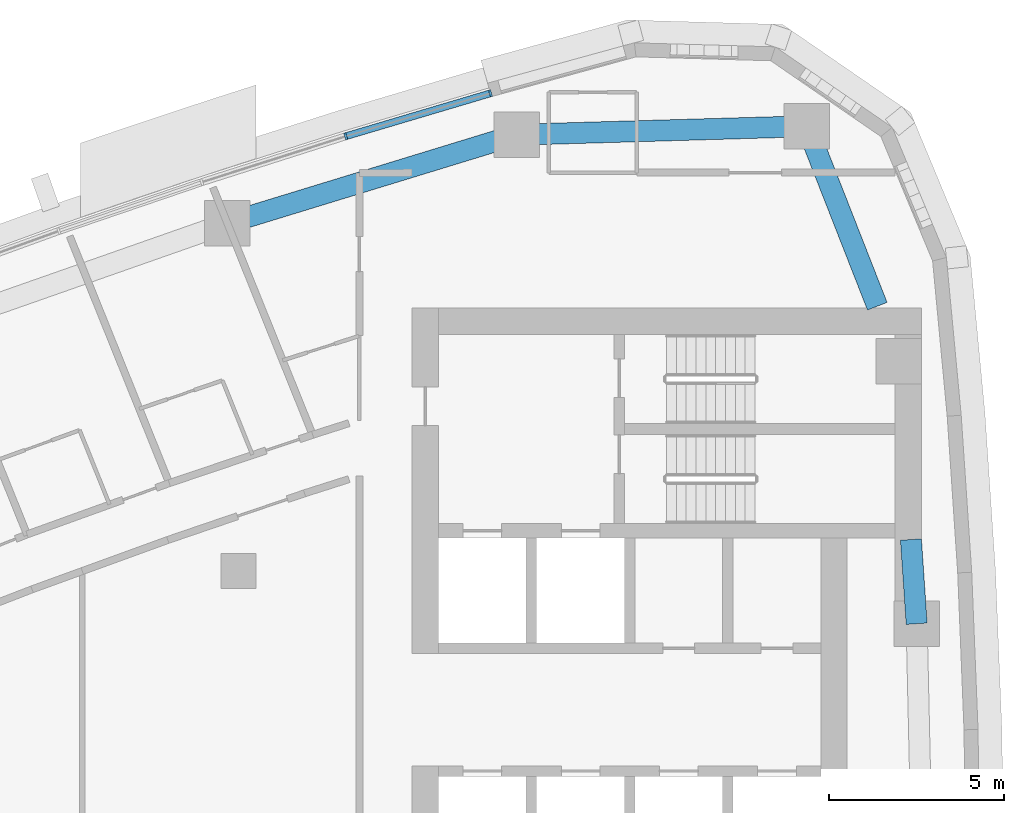
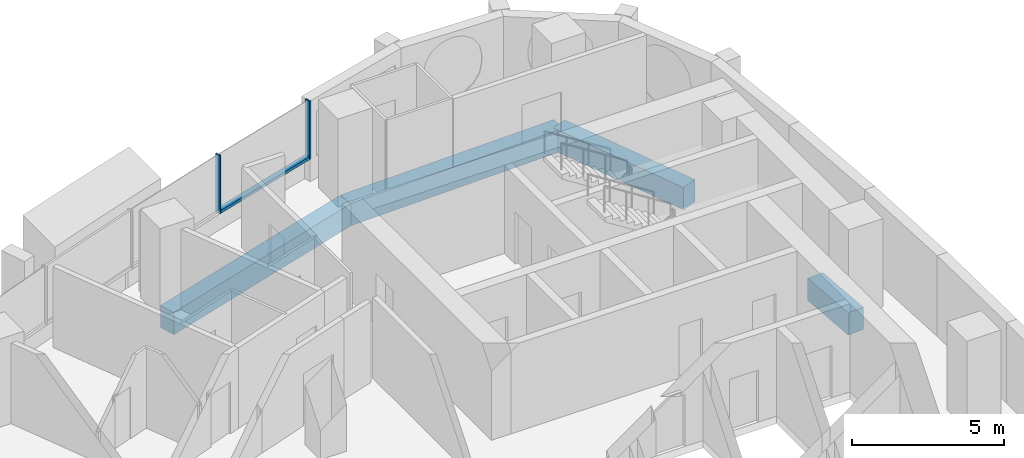
# One storey, part 7 of 17: 4 beams, 3 members, 1 element without a shape of its own.
"""IFC4 building model written with IfcOpenShell, lengths in metres."""

from ifc_helpers import new_model, si_unit, direction, frame, origin, origin_2d, place, context, subcontext, project, spatial, rectangle, extrude, material, layer, layer_set, material_profile, profile_set, type_object, element, aggregate, save


model = new_model("IFC4")

# Units and contexts
model_context = context("Model", 3, precision=1e-05, world=origin(), true_north=direction((0.0, 1.0)))
body_context = subcontext(model_context, "Body", "Model", "MODEL_VIEW")
ifc_project = project(units=[si_unit("LENGTHUNIT", "METRE"), si_unit("AREAUNIT", "SQUARE_METRE"), si_unit("VOLUMEUNIT", "CUBIC_METRE"), si_unit("PLANEANGLEUNIT", "RADIAN"), si_unit("MASSUNIT", "GRAM", prefix="KILO")], contexts=[model_context])

# Site, building, storey
site_placement = place(None, origin())
site = spatial("IfcSite", under=ifc_project, at=site_placement, CompositionType="ELEMENT")
building_placement = place(site_placement, origin())
building = spatial("IfcBuilding", under=site, at=building_placement, Name="Ostrand Prow Hotel Tower", CompositionType="ELEMENT")
storey_placement = place(building_placement, frame((0.0, 0.0, 179.050048828125)))
storey = spatial("IfcBuildingStorey", under=building, at=storey_placement, Name="L44", CompositionType="ELEMENT", Elevation=179.050048828125)

# Beams
ifc_material_1 = material(Name="Concrete C60/75", Category="concrete")
ifc_material_profile_1 = material_profile(ifc_material_1, rectangle(XDim=0.60009765625, YDim=0.89990234375, at=origin_2d()), Name="RC 600x900")
ifc_profile_set_1 = profile_set([ifc_material_profile_1], Name="Concrete C60/75")
beam_type = type_object("IfcBeamType", Name="Edge beam 600x900 C60/75", PredefinedType="SPANDREL", material=ifc_profile_set_1)
beam_1_placement = place(storey_placement, frame((64.330322265625, 7.499267578125, -0.75), z_axis=(-0.067778284608, 0.997700408006, 0.0), x_axis=(-0.997700408006, -0.067778284608, 0.0)))
element("IfcBeam", 1, at=beam_1_placement, inside=storey, type_object=beam_type, Name="Edge beam B4-B5", PredefinedType="SPANDREL", context=body_context, shape_type="SweptSolid", body=[
    extrude(rectangle(XDim=0.60009765625, YDim=0.89990234375, at=origin_2d()), origin(), (0.0, 0.0, 1.0), 2.40625),
])
beam_2_placement = place(storey_placement, frame((63.2080078125, 16.550048828125, -0.75), z_axis=(-0.364802049817, 0.931085100541, 0.0), x_axis=(-0.931085100541, -0.364802049817, 0.0)))
element("IfcBeam", 2, at=beam_2_placement, inside=storey, type_object=beam_type, Name="Edge beam B5-NE", PredefinedType="SPANDREL", context=body_context, shape_type="SweptSolid", body=[
    extrude(rectangle(XDim=0.60009765625, YDim=0.89990234375, at=origin_2d()), origin(), (0.0, 0.0, 1.0), 5.508544921875),
])
beam_3_placement = place(storey_placement, frame((61.198486328125, 21.678955078125, -0.75), z_axis=(-0.999575901438, -0.029120735993, 0.0), x_axis=(0.029120735993, -0.999575901438, 0.0)))
element("IfcBeam", 3, at=beam_3_placement, inside=storey, type_object=beam_type, Name="Edge beam NE-N1", PredefinedType="SPANDREL", context=body_context, shape_type="SweptSolid", body=[
    extrude(rectangle(XDim=0.60009765625, YDim=0.89990234375, at=origin_2d()), origin(), (0.0, 0.0, 1.0), 8.274658203125),
])
beam_4_placement = place(storey_placement, frame((52.92724609375, 21.43798828125, -0.75), z_axis=(-0.956245556413, -0.292565267659, 0.0), x_axis=(0.292565267659, -0.956245556413, 0.0)))
element("IfcBeam", 4, at=beam_4_placement, inside=storey, type_object=beam_type, Name="Edge beam N1-N2", PredefinedType="SPANDREL", context=body_context, shape_type="SweptSolid", body=[
    extrude(rectangle(XDim=0.60009765625, YDim=0.89990234375, at=origin_2d()), origin(), (0.0, 0.0, 1.0), 8.621826171875),
])

# Curtain wall, members
ifc_material_2 = material(Name="Insulated glass in bronze anodised frame", Category="glass")
ifc_layer = layer(ifc_material_2, 0.199951171875)
ifc_layer_set = layer_set([ifc_layer], Name="Insulated glass in bronze anodised frame")
curtain_wall_type = type_object("IfcCurtainWallType", Name="Strip curtain wall, fritted glass over bronze spandrel", PredefinedType="NOTDEFINED", material=ifc_layer_set)
curtain_wall_placement = place(storey_placement, origin())
curtain_wall = element("IfcCurtainWall", 5, at=curtain_wall_placement, inside=storey, type_object=curtain_wall_type, Name="CW1 run CWN1", PredefinedType="NOTDEFINED")
ifc_material_3 = material(Name="Bronze anodised aluminium", Category="aluminium")
ifc_material_profile_2 = material_profile(ifc_material_3, rectangle(XDim=0.199951171875, YDim=0.06005859375, at=origin_2d()), Name="Mullion 60x200 bronze anodised aluminium")
ifc_profile_set_2 = profile_set([ifc_material_profile_2], Name="Bronze anodised aluminium")
member_type_1 = type_object("IfcMemberType", Name="Mullion 60x200 bronze anodised aluminium", PredefinedType="MULLION", material=ifc_profile_set_2)
member_1_placement = place(storey_placement, frame((52.182373046875, 22.619384765625, 0.89990234375), z_axis=(0.0, 0.0, 1.0), x_axis=(0.284544113619, -0.958662947758, 0.0)))
member_1 = element("IfcMember", 6, at=member_1_placement, type_object=member_type_1, Name="CW1 mullion 1", PredefinedType="MULLION", context=body_context, shape_type="SweptSolid", body=[
    extrude(rectangle(XDim=0.199951171875, YDim=0.06005859375, at=origin_2d()), origin(), (0.0, 0.0, 1.0), 2.35009765625),
])
member_2_placement = place(storey_placement, frame((48.055419921875, 21.39453125, 0.89990234375), z_axis=(0.0, 0.0, 1.0), x_axis=(0.303786970008, -0.952739983864, 0.0)))
member_2 = element("IfcMember", 7, at=member_2_placement, type_object=member_type_1, Name="CW1 mullion 2", PredefinedType="MULLION", context=body_context, shape_type="SweptSolid", body=[
    extrude(rectangle(XDim=0.199951171875, YDim=0.06005859375, at=origin_2d()), origin(), (0.0, 0.0, 1.0), 2.35009765625),
])
ifc_material_4 = material(Name="Bronze anodised aluminium", Category="aluminium")
ifc_material_profile_3 = material_profile(ifc_material_4, rectangle(XDim=0.199951171875, YDim=0.1201171875, at=origin_2d()), Name="Transom 120x200 bronze anodised aluminium")
ifc_profile_set_3 = profile_set([ifc_material_profile_3], Name="Bronze anodised aluminium")
member_type_2 = type_object("IfcMemberType", Name="Transom 120x200 bronze anodised aluminium", PredefinedType="USERDEFINED", material=ifc_profile_set_3)
member_3_placement = place(storey_placement, frame((52.15380859375, 22.611083984375, 0.9599609375), z_axis=(-0.958661084062, -0.284550392558, 0.0), x_axis=(0.284550392558, -0.958661084062, 0.0)))
member_3 = element("IfcMember", 8, at=member_3_placement, type_object=member_type_2, Name="CW1 transom 1.1", ObjectType="TRANSOM", PredefinedType="USERDEFINED", context=body_context, shape_type="SweptSolid", body=[
    extrude(rectangle(XDim=0.199951171875, YDim=0.1201171875, at=origin_2d()), origin(), (0.0, 0.0, 1.0), 4.245361328125),
])
aggregate(curtain_wall, [member_1, member_2, member_3])

save(model, "model.ifc")
